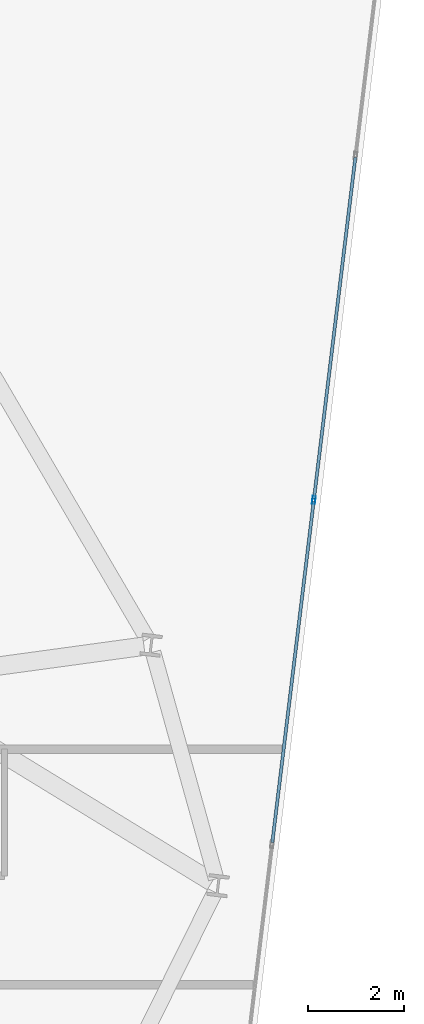
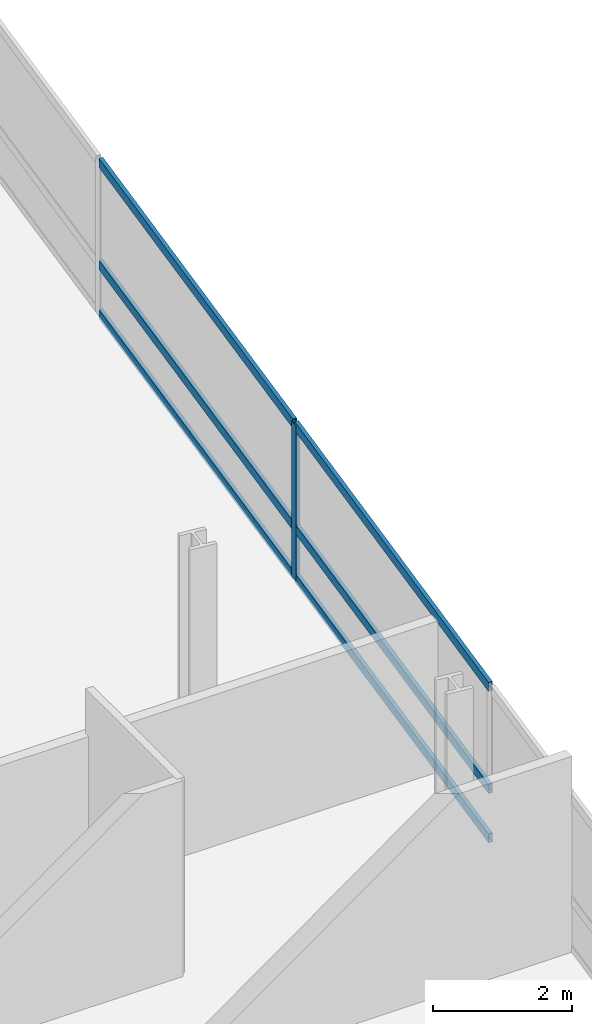
# One storey, part 16 of 25: 7 members, 1 element without a shape of its own.
"""IFC4 building model written with IfcOpenShell, lengths in metres."""

from ifc_helpers import new_model, si_unit, direction, frame, origin, origin_2d, place, context, subcontext, project, spatial, hollow_rectangle, extrude, material, layer, layer_set, material_profile, profile_set, type_object, element, aggregate, save


model = new_model("IFC4")

# Units and contexts
model_context = context("Model", 3, precision=1e-05, world=origin(), true_north=direction((0.0, 1.0)))
body_context = subcontext(model_context, "Body", "Model", "MODEL_VIEW")
ifc_project = project(units=[si_unit("LENGTHUNIT", "METRE"), si_unit("AREAUNIT", "SQUARE_METRE"), si_unit("VOLUMEUNIT", "CUBIC_METRE"), si_unit("PLANEANGLEUNIT", "RADIAN"), si_unit("MASSUNIT", "GRAM", prefix="KILO")], contexts=[model_context])

# Site, building, storey
site_placement = place(None, origin())
site = spatial("IfcSite", under=ifc_project, at=site_placement, CompositionType="ELEMENT")
building_placement = place(site_placement, origin())
building = spatial("IfcBuilding", under=site, at=building_placement, Name="Varnelok Gate Tower", CompositionType="ELEMENT")
storey_placement = place(building_placement, frame((0.0, 0.0, 132.800048828125)))
storey = spatial("IfcBuildingStorey", under=building, at=storey_placement, Name="L33", CompositionType="ELEMENT", Elevation=132.800048828125)

# Curtain wall, members
ifc_material = material(Name="Anodized Aluminum Alloy 6063-T6", Category="aluminium")
ifc_layer = layer(ifc_material, 0.179931640625)
ifc_layer_set = layer_set([ifc_layer], Name="Anodized Aluminum Alloy 6063-T6")
curtain_wall_type = type_object("IfcCurtainWallType", Name="CW3-HOTEL-VISION", PredefinedType="USERDEFINED", material=ifc_layer_set)
curtain_wall_placement = place(storey_placement, origin())
curtain_wall = element("IfcCurtainWall", 1, at=curtain_wall_placement, inside=storey, type_object=curtain_wall_type, Name="L33 East End Vision Curtain Wall", ObjectType="UNITISED CURTAIN WALL", PredefinedType="USERDEFINED")
ifc_material_profile_1 = material_profile(ifc_material, hollow_rectangle(XDim=0.06494140625, YDim=0.159912109375, WallThickness=0.00390625, at=origin_2d()), Name="ALU160X65X4")
ifc_profile_set_1 = profile_set([ifc_material_profile_1], Name="Anodized Aluminum Alloy 6063-T6")
member_type_1 = type_object("IfcMemberType", Name="CW-MULL-160", PredefinedType="MULLION", material=ifc_profile_set_1)
member_1_placement = place(storey_placement, frame((76.423828125, 24.413818359375, 0.0), z_axis=(0.0, 0.0, 1.0), x_axis=(0.99273188146, -0.120347046212, 0.0)))
member_1 = element("IfcMember", 2, at=member_1_placement, type_object=member_type_1, Name="CW3 mullion 3", PredefinedType="MULLION", context=body_context, shape_type="SweptSolid", body=[
    extrude(hollow_rectangle(XDim=0.06494140625, YDim=0.159912109375, WallThickness=0.00390625, at=origin_2d()), origin(), (0.0, 0.0, 1.0), 2.72998046875),
])
ifc_material_profile_2 = material_profile(ifc_material, hollow_rectangle(XDim=0.06494140625, YDim=0.159912109375, WallThickness=0.00390625, at=origin_2d()), Name="ALU160X65X4")
ifc_profile_set_2 = profile_set([ifc_material_profile_2], Name="Anodized Aluminum Alloy 6063-T6")
member_type_2 = type_object("IfcMemberType", Name="CW-TRAN-160", PredefinedType="USERDEFINED", material=ifc_profile_set_2)
member_2_placement = place(storey_placement, frame((77.286376953125, 31.529296875, 0.032470703125), z_axis=(-0.120340564253, -0.992732667235, 0.0), x_axis=(0.992732667235, -0.120340564253, 0.0)))
member_2 = element("IfcMember", 3, at=member_2_placement, type_object=member_type_2, Name="CW3 transom 2.1", ObjectType="TRANSOM", PredefinedType="USERDEFINED", context=body_context, shape_type="SweptSolid", body=[
    extrude(hollow_rectangle(XDim=0.06494140625, YDim=0.159912109375, WallThickness=0.00390625, at=origin_2d()), origin(), (0.0, 0.0, 1.0), 7.135009765625),
])
member_3_placement = place(storey_placement, frame((77.286376953125, 31.529296875, 0.89990234375), z_axis=(-0.120340564253, -0.992732667235, 0.0), x_axis=(0.992732667235, -0.120340564253, 0.0)))
member_3 = element("IfcMember", 4, at=member_3_placement, type_object=member_type_2, Name="CW3 transom 2.2", ObjectType="TRANSOM", PredefinedType="USERDEFINED", context=body_context, shape_type="SweptSolid", body=[
    extrude(hollow_rectangle(XDim=0.06494140625, YDim=0.159912109375, WallThickness=0.00390625, at=origin_2d()), origin(), (0.0, 0.0, 1.0), 7.135009765625),
])
member_4_placement = place(storey_placement, frame((77.286376953125, 31.529296875, 2.697509765625), z_axis=(-0.120340564253, -0.992732667235, 0.0), x_axis=(0.992732667235, -0.120340564253, 0.0)))
member_4 = element("IfcMember", 5, at=member_4_placement, type_object=member_type_2, Name="CW3 transom 2.3", ObjectType="TRANSOM", PredefinedType="USERDEFINED", context=body_context, shape_type="SweptSolid", body=[
    extrude(hollow_rectangle(XDim=0.06494140625, YDim=0.159912109375, WallThickness=0.00390625, at=origin_2d()), origin(), (0.0, 0.0, 1.0), 7.135009765625),
])
member_5_placement = place(storey_placement, frame((76.419921875, 24.381591796875, 0.032470703125), z_axis=(-0.120340564253, -0.992732667235, 0.0), x_axis=(0.992732667235, -0.120340564253, 0.0)))
member_5 = element("IfcMember", 6, at=member_5_placement, type_object=member_type_2, Name="CW3 transom 3.1", ObjectType="TRANSOM", PredefinedType="USERDEFINED", context=body_context, shape_type="SweptSolid", body=[
    extrude(hollow_rectangle(XDim=0.06494140625, YDim=0.159912109375, WallThickness=0.00390625, at=origin_2d()), origin(), (0.0, 0.0, 1.0), 7.135009765625),
])
member_6_placement = place(storey_placement, frame((76.419921875, 24.381591796875, 0.89990234375), z_axis=(-0.120340564253, -0.992732667235, 0.0), x_axis=(0.992732667235, -0.120340564253, 0.0)))
member_6 = element("IfcMember", 7, at=member_6_placement, type_object=member_type_2, Name="CW3 transom 3.2", ObjectType="TRANSOM", PredefinedType="USERDEFINED", context=body_context, shape_type="SweptSolid", body=[
    extrude(hollow_rectangle(XDim=0.06494140625, YDim=0.159912109375, WallThickness=0.00390625, at=origin_2d()), origin(), (0.0, 0.0, 1.0), 7.135009765625),
])
member_7_placement = place(storey_placement, frame((76.419921875, 24.381591796875, 2.697509765625), z_axis=(-0.120340564253, -0.992732667235, 0.0), x_axis=(0.992732667235, -0.120340564253, 0.0)))
member_7 = element("IfcMember", 8, at=member_7_placement, type_object=member_type_2, Name="CW3 transom 3.3", ObjectType="TRANSOM", PredefinedType="USERDEFINED", context=body_context, shape_type="SweptSolid", body=[
    extrude(hollow_rectangle(XDim=0.06494140625, YDim=0.159912109375, WallThickness=0.00390625, at=origin_2d()), origin(), (0.0, 0.0, 1.0), 7.135009765625),
])
aggregate(curtain_wall, [member_1, member_2, member_3, member_4, member_5, member_6, member_7])

save(model, "model.ifc")
